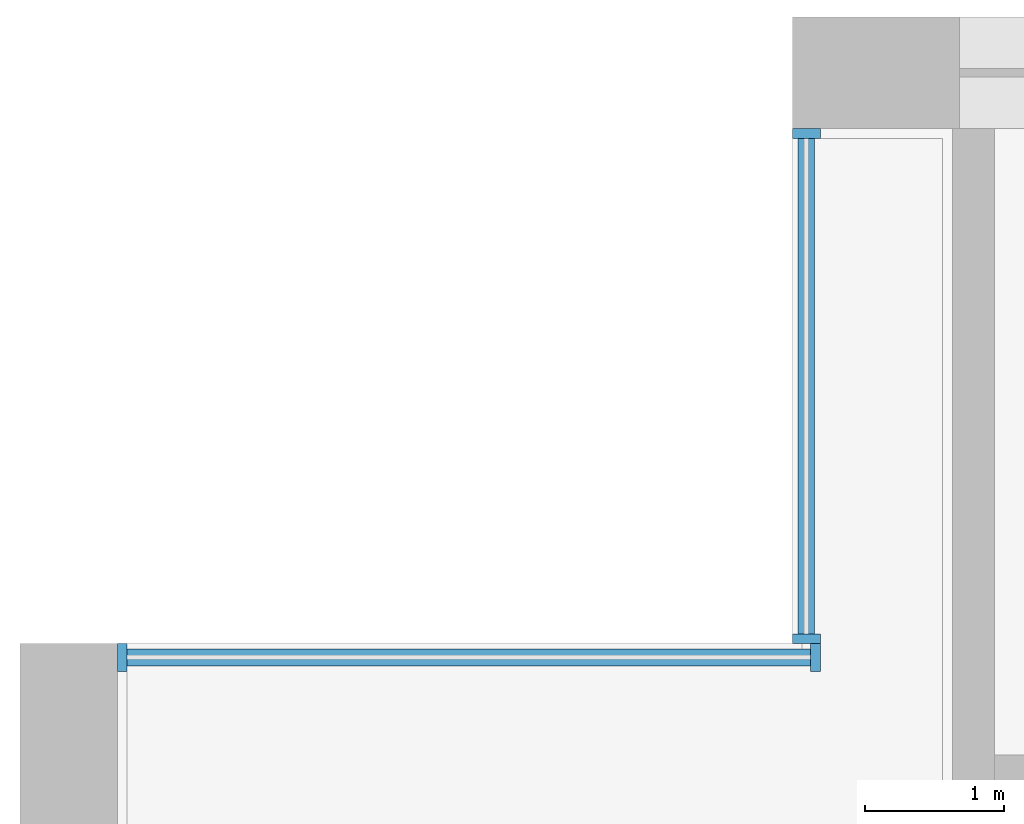
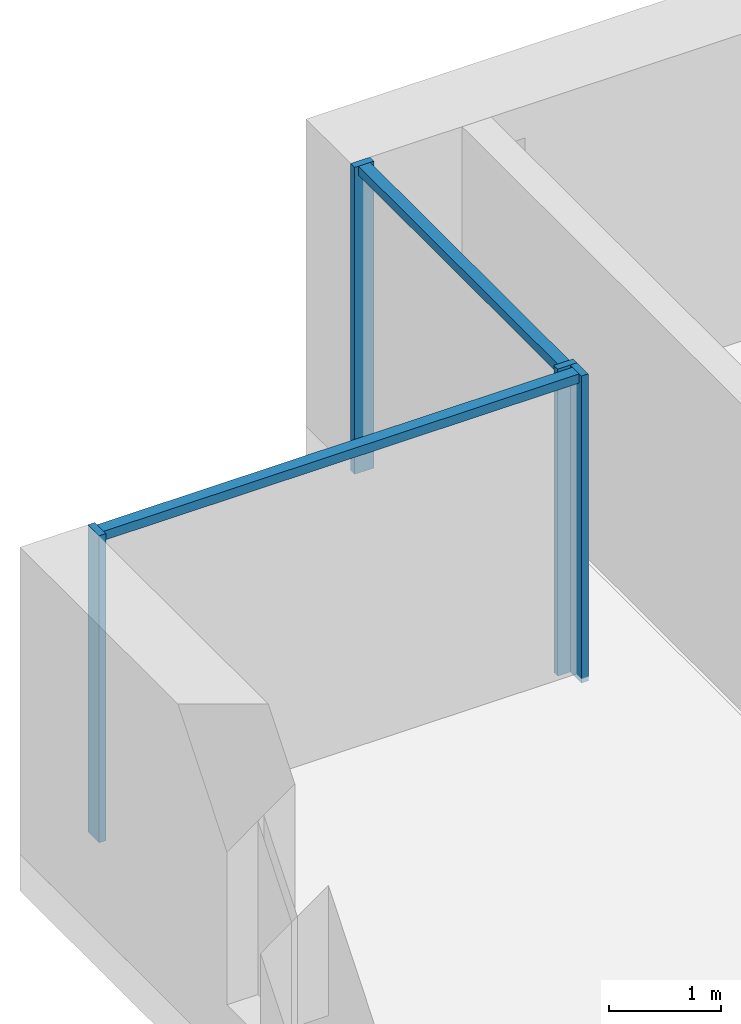
# One storey, part 4 of 17: 6 members, 2 elements without a shape of their own.
"""IFC4 building model written with IfcOpenShell, lengths in metres."""

from ifc_helpers import new_model, si_unit, direction, frame, origin, origin_2d, place, context, subcontext, project, spatial, rectangle, extrude, material, material_profile, profile_set, type_object, element, aggregate, save


model = new_model("IFC4")

# Units and contexts
model_context = context("Model", 3, precision=1e-05, world=origin(), true_north=direction((0.0, 1.0)))
body_context = subcontext(model_context, "Body", "Model", "MODEL_VIEW")
ifc_project = project(units=[si_unit("LENGTHUNIT", "METRE"), si_unit("AREAUNIT", "SQUARE_METRE"), si_unit("VOLUMEUNIT", "CUBIC_METRE"), si_unit("PLANEANGLEUNIT", "RADIAN"), si_unit("MASSUNIT", "GRAM", prefix="KILO")], contexts=[model_context])

# Site, building, storey
site_placement = place(None, origin())
site = spatial("IfcSite", under=ifc_project, at=site_placement, CompositionType="ELEMENT")
building_placement = place(site_placement, origin())
building = spatial("IfcBuilding", under=site, at=building_placement, Name="Calvaro Tower", CompositionType="ELEMENT")
storey_placement = place(building_placement, frame((0.0, 0.0, 98.75)))
storey = spatial("IfcBuildingStorey", under=building, at=storey_placement, Name="L24", CompositionType="ELEMENT", Elevation=98.75)

# Curtain wall, members
ifc_material_1 = material(Name="Anodised aluminium", Category="aluminium")
curtain_wall_type = type_object("IfcCurtainWallType", Name="Office curtain wall, middle zone", PredefinedType="NOTDEFINED", material=ifc_material_1)
curtain_wall_1_placement = place(storey_placement, origin())
curtain_wall_1 = element("IfcCurtainWall", 1, at=curtain_wall_1_placement, inside=storey, type_object=curtain_wall_type, Name="CW2 corner curtain wall", PredefinedType="NOTDEFINED")
ifc_material_2 = material(Name="Anodised aluminium", Category="aluminium")
ifc_material_profile_1 = material_profile(ifc_material_2, rectangle(XDim=0.199951171875, YDim=0.070068359375, at=origin_2d()), Name="Mullion S2 70 x 200")
ifc_profile_set_1 = profile_set([ifc_material_profile_1], Name="Anodised aluminium")
member_type_1 = type_object("IfcMemberType", Name="Mullion S2 70 x 200", PredefinedType="MULLION", material=ifc_profile_set_1)
member_1_placement = place(storey_placement, frame((5.64990234375, 41.534912109375, 0.0), z_axis=(0.0, 0.0, 1.0), x_axis=(-1.0, 0.0, 0.0)))
member_1 = element("IfcMember", 2, at=member_1_placement, type_object=member_type_1, Name="CW2 mullion 1", PredefinedType="MULLION", context=body_context, shape_type="SweptSolid", body=[
    extrude(rectangle(XDim=0.199951171875, YDim=0.070068359375, at=origin_2d()), origin(), (0.0, 0.0, 1.0), 3.35009765625),
])
member_2_placement = place(storey_placement, frame((5.64990234375, 45.1650390625, 0.0), z_axis=(0.0, 0.0, 1.0), x_axis=(-1.0, 0.0, 0.0)))
member_2 = element("IfcMember", 3, at=member_2_placement, type_object=member_type_1, Name="CW2 mullion 2", PredefinedType="MULLION", context=body_context, shape_type="SweptSolid", body=[
    extrude(rectangle(XDim=0.199951171875, YDim=0.070068359375, at=origin_2d()), origin(), (0.0, 0.0, 1.0), 3.35009765625),
])

curtain_wall_2_placement = place(storey_placement, origin())
curtain_wall_2 = element("IfcCurtainWall", 4, at=curtain_wall_2_placement, inside=storey, type_object=curtain_wall_type, Name="CW2 corner curtain wall", PredefinedType="NOTDEFINED")
member_3_placement = place(storey_placement, frame((0.735107421875, 41.39990234375, 0.0), z_axis=(0.0, 0.0, 1.0), x_axis=(0.0, 1.0, 0.0)))
member_3 = element("IfcMember", 5, at=member_3_placement, type_object=member_type_1, Name="CW2 mullion 1", PredefinedType="MULLION", context=body_context, shape_type="SweptSolid", body=[
    extrude(rectangle(XDim=0.199951171875, YDim=0.070068359375, at=origin_2d()), origin(), (0.0, 0.0, 1.0), 3.35009765625),
])
member_4_placement = place(storey_placement, frame((5.715087890625, 41.39990234375, 0.0), z_axis=(0.0, 0.0, 1.0), x_axis=(0.0, 1.0, 0.0)))
member_4 = element("IfcMember", 6, at=member_4_placement, type_object=member_type_1, Name="CW2 mullion 2", PredefinedType="MULLION", context=body_context, shape_type="SweptSolid", body=[
    extrude(rectangle(XDim=0.199951171875, YDim=0.070068359375, at=origin_2d()), origin(), (0.0, 0.0, 1.0), 3.35009765625),
])

# Member
ifc_material_3 = material(Name="Anodised aluminium", Category="aluminium")
ifc_material_profile_2 = material_profile(ifc_material_3, rectangle(XDim=0.1201171875, YDim=0.10009765625, at=origin_2d()), Name="Transom S2 100 x 120")
ifc_profile_set_2 = profile_set([ifc_material_profile_2], Name="Anodised aluminium")
member_type_2 = type_object("IfcMemberType", Name="Transom S2 100 x 120", PredefinedType="USERDEFINED", material=ifc_profile_set_2)
member_5_placement = place(storey_placement, frame((5.64990234375, 41.570068359375, 3.300048828125), z_axis=(0.0, 1.0, 0.0), x_axis=(-1.0, 0.0, 0.0)))
member_5 = element("IfcMember", 7, at=member_5_placement, type_object=member_type_2, Name="CW2 transom 1.1", ObjectType="TRANSOM", PredefinedType="USERDEFINED", context=body_context, shape_type="SweptSolid", body=[
    extrude(rectangle(XDim=0.1201171875, YDim=0.10009765625, at=origin_2d()), origin(), (0.0, 0.0, 1.0), 3.559814453125),
])

aggregate(curtain_wall_1, [member_1, member_2, member_5])

member_6_placement = place(storey_placement, frame((0.77001953125, 41.39990234375, 3.300048828125), z_axis=(1.0, 0.0, 0.0), x_axis=(0.0, 1.0, 0.0)))
member_6 = element("IfcMember", 8, at=member_6_placement, type_object=member_type_2, Name="CW2 transom 1.1", ObjectType="TRANSOM", PredefinedType="USERDEFINED", context=body_context, shape_type="SweptSolid", body=[
    extrude(rectangle(XDim=0.1201171875, YDim=0.10009765625, at=origin_2d()), origin(), (0.0, 0.0, 1.0), 4.909912109375),
])

aggregate(curtain_wall_2, [member_3, member_4, member_6])

save(model, "model.ifc")
